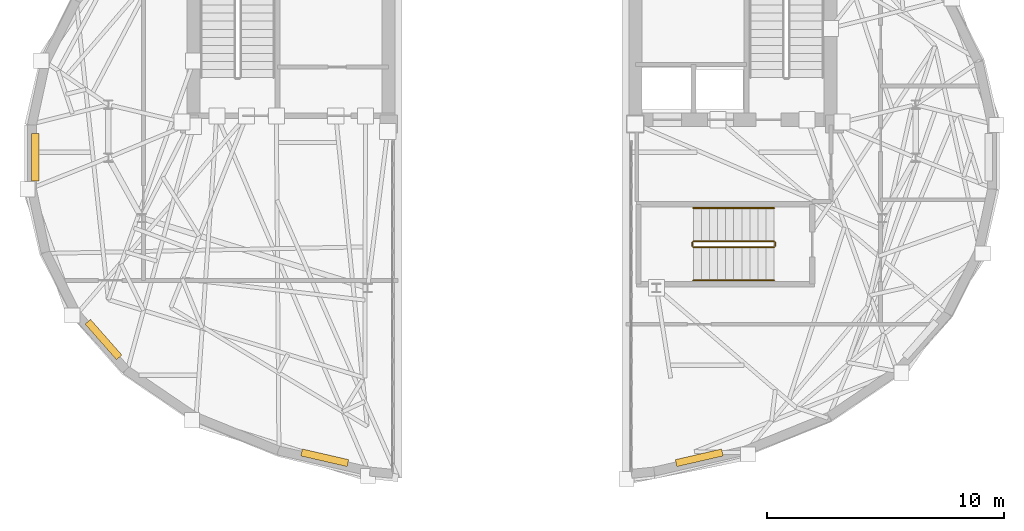
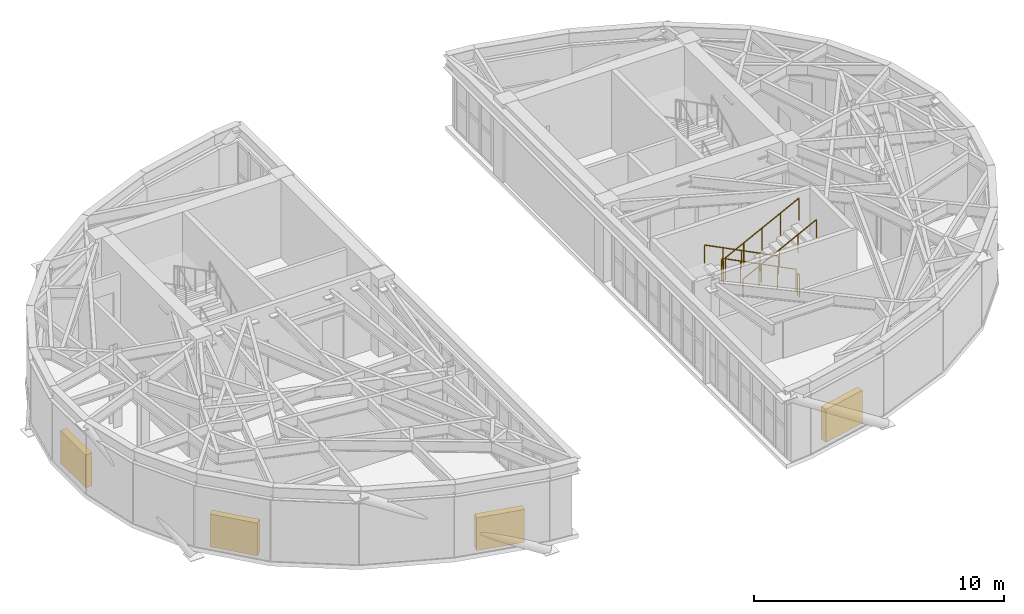
# One storey, part 11 of 13: 6 railings, 4 shading devices.
"""IFC4 building model written with IfcOpenShell, lengths in metres."""

from ifc_helpers import new_model, si_unit, direction, frame, origin, origin_2d, place, context, subcontext, project, spatial, rectangle, circle, extrude, material, type_object, element, save


model = new_model("IFC4")

# Units and contexts
model_context = context("Model", 3, precision=1e-05, world=origin(), true_north=direction((0.0, 1.0)))
body_context = subcontext(model_context, "Body", "Model", "MODEL_VIEW")
ifc_project = project(units=[si_unit("LENGTHUNIT", "METRE"), si_unit("AREAUNIT", "SQUARE_METRE"), si_unit("VOLUMEUNIT", "CUBIC_METRE"), si_unit("PLANEANGLEUNIT", "RADIAN"), si_unit("MASSUNIT", "GRAM", prefix="KILO")], contexts=[model_context])

# Site, building, storey
site_placement = place(None, origin())
site = spatial("IfcSite", under=ifc_project, at=site_placement, CompositionType="ELEMENT")
building_placement = place(site_placement, origin())
building = spatial("IfcBuilding", under=site, at=building_placement, Name="Keldmark Tower", CompositionType="ELEMENT")
storey_placement = place(building_placement, frame((0.0, 0.0, 276.800048828125)))
storey = spatial("IfcBuildingStorey", under=building, at=storey_placement, Name="L78", CompositionType="ELEMENT", Elevation=276.800048828125)

# Shading devices
ifc_material_1 = material(Name="Fluoropolymer-Coated Extruded Aluminum Stormproof Blades", Category="aluminium")
shading_device_type = type_object("IfcShadingDeviceType", Name="Mechanical Floor Acoustic Intake Louvre", PredefinedType="JALOUSIE", material=ifc_material_1)
for number, where, z_axis, x_axis, name in (
    (1, (7.897216796875, -12.6826171875, 0.0), (0.0, 0.0, 1.0), (0.974444607804, 0.224627928632, 0.0), "L78 Crown Screen Acoustic Louvre E13"),
    (2, (-7.897216796875, -12.6826171875, 0.0), (0.0, 0.0, 1.0), (0.974444607804, -0.224627928632, 0.0), "L78 Crown Screen Acoustic Louvre W01"),
    (3, (-17.22900390625, -7.69580078125, 0.0), (0.0, 0.0, 1.0), (0.660958310395, -0.750422622206, 0.0), "L78 Crown Screen Acoustic Louvre W04"),
    (4, (-20.10888671875, 0.0, 0.0), (0.0, 0.0, 1.0), (0.0, -1.0, 0.0), "L78 Crown Screen Acoustic Louvre W07"),
):
    element("IfcShadingDevice", number, at=place(storey_placement, frame(where, z_axis=z_axis, x_axis=x_axis)), inside=storey, type_object=shading_device_type, Name=name, PredefinedType="JALOUSIE", context=body_context, shape_type="SweptSolid", body=[
        extrude(rectangle(XDim=2.0, YDim=0.300048828125, at=origin_2d()), origin(), (0.0, 0.0, 1.0), 1.60009765625),
    ])

# Railings
ifc_material_2 = material(Name="Painted Steel ASTM A500 Grade B", Category="steel")
railing_type_1 = type_object("IfcRailingType", Name="Painted Steel Stair Well Guard 1100 mm", PredefinedType="GUARDRAIL", material=ifc_material_2)
railing_1_placement = place(storey_placement, frame((11.050048828125, -3.550048828125, 0.172607421875)))
element("IfcRailing", 5, at=railing_1_placement, inside=storey, type_object=railing_type_1, Name="L78 ST4 stair guard 1", PredefinedType="GUARDRAIL", context=body_context, shape_type="SweptSolid", body=[
    extrude(circle(Radius=0.02392578125, at=origin_2d()), frame((0.0, 0.0, 1.076171875), z_axis=(-0.891553839763, 0.0, 0.452914727962), x_axis=(0.0, -1.0, 0.0)), (0.0, 0.0, 1.0), 3.813720703125),
    extrude(circle(Radius=0.02099609375, at=origin_2d()), origin(), (0.0, 0.0, 1.0), 1.052001953125),
    extrude(circle(Radius=0.02099609375, at=origin_2d()), frame((-0.85009765625, 0.0, 0.431884765625)), (0.0, 0.0, 1.0), 1.052001953125),
    extrude(circle(Radius=0.02099609375, at=origin_2d()), frame((-1.7001953125, 0.0, 0.86376953125)), (0.0, 0.0, 1.0), 1.052001953125),
    extrude(circle(Radius=0.02099609375, at=origin_2d()), frame((-2.550048828125, 0.0, 1.29541015625)), (0.0, 0.0, 1.0), 1.052001953125),
    extrude(circle(Radius=0.02099609375, at=origin_2d()), frame((-3.400146484375, 0.0, 1.727294921875)), (0.0, 0.0, 1.0), 1.052001953125),
])
railing_2_placement = place(storey_placement, frame((7.60009765625, -3.60009765625, 1.89990234375)))
element("IfcRailing", 6, at=railing_2_placement, inside=storey, type_object=railing_type_1, Name="L78 ST4 stair guard 2", PredefinedType="GUARDRAIL", context=body_context, shape_type="SweptSolid", body=[
    extrude(circle(Radius=0.02392578125, at=origin_2d()), frame((0.0, 0.0, 1.076171875), z_axis=(0.0, -1.0, 0.0), x_axis=(1.0, 0.0, 0.0)), (0.0, 0.0, 1.0), 0.14990234375),
    extrude(circle(Radius=0.02099609375, at=origin_2d()), origin(), (0.0, 0.0, 1.0), 1.052001953125),
    extrude(circle(Radius=0.02099609375, at=origin_2d()), frame((0.0, -0.14990234375, 0.0)), (0.0, 0.0, 1.0), 1.052001953125),
])
railing_3_placement = place(storey_placement, frame((7.64990234375, -3.800048828125, 2.07275390625)))
element("IfcRailing", 7, at=railing_3_placement, inside=storey, type_object=railing_type_1, Name="L78 ST4 stair guard 3", PredefinedType="GUARDRAIL", context=body_context, shape_type="SweptSolid", body=[
    extrude(circle(Radius=0.02392578125, at=origin_2d()), frame((0.0, 0.0, 1.076171875), z_axis=(0.891553839763, 0.0, 0.452914727962), x_axis=(0.0, 1.0, 0.0)), (0.0, 0.0, 1.0), 3.813720703125),
    extrude(circle(Radius=0.02099609375, at=origin_2d()), origin(), (0.0, 0.0, 1.0), 1.052001953125),
    extrude(circle(Radius=0.02099609375, at=origin_2d()), frame((0.85009765625, 0.0, 0.431884765625)), (0.0, 0.0, 1.0), 1.052001953125),
    extrude(circle(Radius=0.02099609375, at=origin_2d()), frame((1.7001953125, 0.0, 0.86376953125)), (0.0, 0.0, 1.0), 1.052001953125),
    extrude(circle(Radius=0.02099609375, at=origin_2d()), frame((2.550048828125, 0.0, 1.29541015625)), (0.0, 0.0, 1.0), 1.052001953125),
    extrude(circle(Radius=0.02099609375, at=origin_2d()), frame((3.400146484375, 0.0, 1.727294921875)), (0.0, 0.0, 1.0), 1.052001953125),
])
railing_4_placement = place(storey_placement, frame((11.10009765625, -3.60009765625, 0.0)))
element("IfcRailing", 8, at=railing_4_placement, inside=storey, type_object=railing_type_1, Name="L78 ST4 stair guard 4", PredefinedType="GUARDRAIL", context=body_context, shape_type="SweptSolid", body=[
    extrude(circle(Radius=0.02392578125, at=origin_2d()), frame((0.0, 0.0, 1.076171875), z_axis=(0.0, -1.0, 0.0), x_axis=(1.0, 0.0, 0.0)), (0.0, 0.0, 1.0), 0.14990234375),
    extrude(circle(Radius=0.02099609375, at=origin_2d()), origin(), (0.0, 0.0, 1.0), 1.052001953125),
    extrude(circle(Radius=0.02099609375, at=origin_2d()), frame((0.0, -0.14990234375, 0.0)), (0.0, 0.0, 1.0), 1.052001953125),
])
ifc_material_3 = material(Name="Stainless Steel AISI 316L", Category="steel")
railing_type_2 = type_object("IfcRailingType", Name="Stainless Steel Stair Handrail 900 mm", PredefinedType="HANDRAIL", material=ifc_material_3)
railing_5_placement = place(storey_placement, frame((11.050048828125, -2.14990234375, 0.172607421875)))
element("IfcRailing", 9, at=railing_5_placement, inside=storey, type_object=railing_type_2, Name="L78 ST4 stair handrail 1", PredefinedType="HANDRAIL", context=body_context, shape_type="SweptSolid", body=[
    extrude(circle(Radius=0.02392578125, at=origin_2d()), frame((0.0, 0.0, 0.8759765625), z_axis=(-0.891553839763, 0.0, 0.452914727962), x_axis=(0.0, -1.0, 0.0)), (0.0, 0.0, 1.0), 3.813720703125),
    extrude(circle(Radius=0.02099609375, at=origin_2d()), origin(), (0.0, 0.0, 1.0), 0.851806640625),
    extrude(circle(Radius=0.02099609375, at=origin_2d()), frame((-0.85009765625, 0.0, 0.431884765625)), (0.0, 0.0, 1.0), 0.851806640625),
    extrude(circle(Radius=0.02099609375, at=origin_2d()), frame((-1.7001953125, 0.0, 0.86376953125)), (0.0, 0.0, 1.0), 0.851806640625),
    extrude(circle(Radius=0.02099609375, at=origin_2d()), frame((-2.550048828125, 0.0, 1.29541015625)), (0.0, 0.0, 1.0), 0.851806640625),
    extrude(circle(Radius=0.02099609375, at=origin_2d()), frame((-3.400146484375, 0.0, 1.727294921875)), (0.0, 0.0, 1.0), 0.851806640625),
])
railing_6_placement = place(storey_placement, frame((7.64990234375, -5.199951171875, 2.07275390625)))
element("IfcRailing", 10, at=railing_6_placement, inside=storey, type_object=railing_type_2, Name="L78 ST4 stair handrail 2", PredefinedType="HANDRAIL", context=body_context, shape_type="SweptSolid", body=[
    extrude(circle(Radius=0.02392578125, at=origin_2d()), frame((0.0, 0.0, 0.8759765625), z_axis=(0.891553839763, 0.0, 0.452914727962), x_axis=(0.0, 1.0, 0.0)), (0.0, 0.0, 1.0), 3.813720703125),
    extrude(circle(Radius=0.02099609375, at=origin_2d()), origin(), (0.0, 0.0, 1.0), 0.851806640625),
    extrude(circle(Radius=0.02099609375, at=origin_2d()), frame((0.85009765625, 0.0, 0.431884765625)), (0.0, 0.0, 1.0), 0.851806640625),
    extrude(circle(Radius=0.02099609375, at=origin_2d()), frame((1.7001953125, 0.0, 0.86376953125)), (0.0, 0.0, 1.0), 0.851806640625),
    extrude(circle(Radius=0.02099609375, at=origin_2d()), frame((2.550048828125, 0.0, 1.29541015625)), (0.0, 0.0, 1.0), 0.851806640625),
    extrude(circle(Radius=0.02099609375, at=origin_2d()), frame((3.400146484375, 0.0, 1.727294921875)), (0.0, 0.0, 1.0), 0.851806640625),
])

save(model, "model.ifc")
